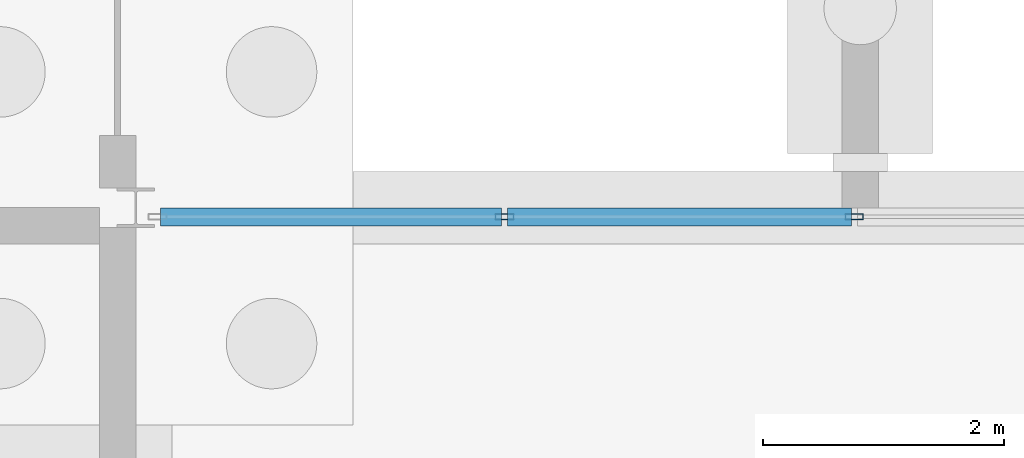
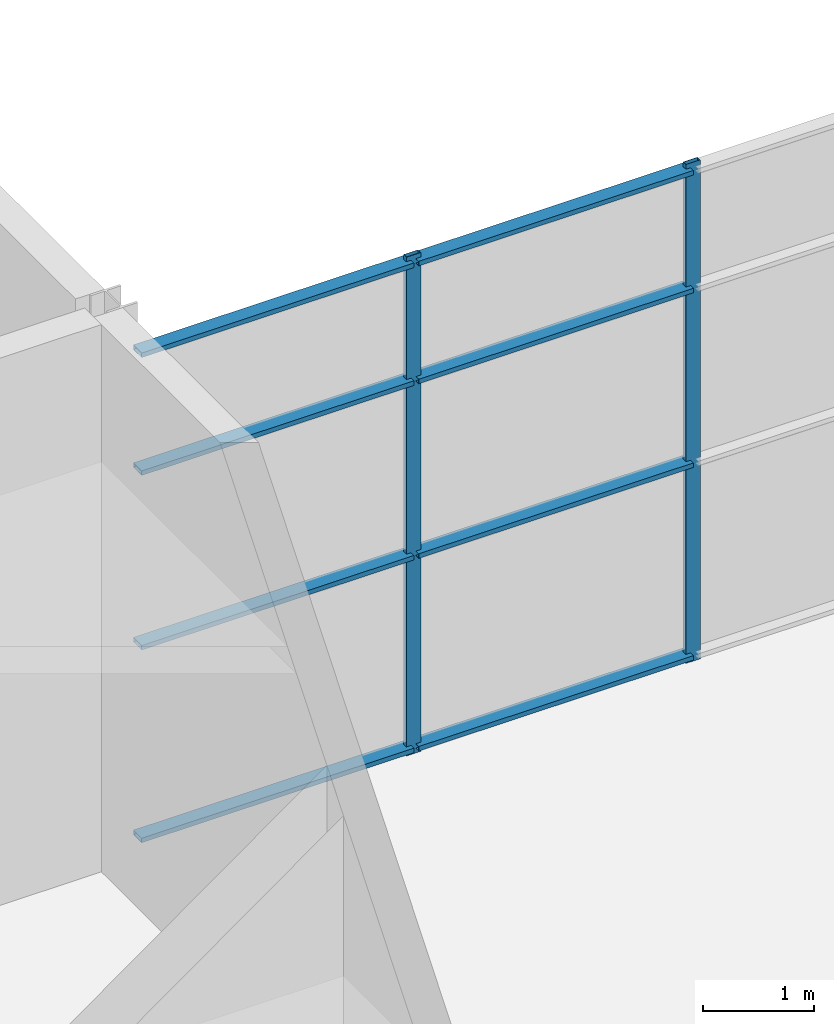
# One storey, part 69 of 139: 10 members, 1 element without a shape of its own.
"""IFC4 building model written with IfcOpenShell, lengths in metres."""

from ifc_helpers import new_model, si_unit, direction, frame, origin, origin_2d, place, context, subcontext, project, spatial, hollow_rectangle, extrude, material, layer, layer_set, material_profile, profile_set, type_object, element, aggregate, save


model = new_model("IFC4")

# Units and contexts
model_context = context("Model", 3, precision=1e-05, world=origin(), true_north=direction((0.0, 1.0)))
body_context = subcontext(model_context, "Body", "Model", "MODEL_VIEW")
ifc_project = project(units=[si_unit("LENGTHUNIT", "METRE"), si_unit("AREAUNIT", "SQUARE_METRE"), si_unit("VOLUMEUNIT", "CUBIC_METRE"), si_unit("PLANEANGLEUNIT", "RADIAN"), si_unit("MASSUNIT", "GRAM", prefix="KILO")], contexts=[model_context])

# Site, building, storey
site_placement = place(None, origin())
site = spatial("IfcSite", under=ifc_project, at=site_placement, CompositionType="ELEMENT")
building_placement = place(site_placement, origin())
building = spatial("IfcBuilding", under=site, at=building_placement, Name="Shorebreak Coast Museum", CompositionType="ELEMENT")
storey_placement = place(building_placement, origin())
storey = spatial("IfcBuildingStorey", under=building, at=storey_placement, Name="L00", CompositionType="ELEMENT", Elevation=0.0)

# Curtain wall, members
ifc_material_1 = material(Name="Aluminium", Category="aluminium")
ifc_layer = layer(ifc_material_1, 0.14990234375)
ifc_layer_set = layer_set([ifc_layer], Name="Aluminium")
curtain_wall_type = type_object("IfcCurtainWallType", Name="Storefront curtain wall", PredefinedType="NOTDEFINED", material=ifc_layer_set)
curtain_wall_placement = place(storey_placement, origin())
curtain_wall = element("IfcCurtainWall", 1, at=curtain_wall_placement, inside=storey, type_object=curtain_wall_type, Name="Storefront L00 N 2", PredefinedType="NOTDEFINED")
ifc_material_2 = material(Name="Aluminium", Category="aluminium")
ifc_material_profile_1 = material_profile(ifc_material_2, hollow_rectangle(XDim=0.050048828125, YDim=0.14990234375, WallThickness=0.00390625, at=origin_2d()), Name="AL 150x50 RHS")
ifc_profile_set_1 = profile_set([ifc_material_profile_1], Name="Aluminium")
member_type_1 = type_object("IfcMemberType", Name="Storefront mullion 50 x 150", PredefinedType="MULLION", material=ifc_profile_set_1)
member_1_placement = place(storey_placement, frame((120.0537109375, 89.925048828125, 0.0), z_axis=(0.0, 0.0, 1.0), x_axis=(0.0, 1.0, 0.0)))
member_1 = element("IfcMember", 2, at=member_1_placement, type_object=member_type_1, Name="CW8 mullion 2", PredefinedType="MULLION", context=body_context, shape_type="SweptSolid", body=[
    extrude(hollow_rectangle(XDim=0.050048828125, YDim=0.14990234375, WallThickness=0.00390625, at=origin_2d()), origin(), (0.0, 0.0, 1.0), 5.469482421875),
])
member_2_placement = place(storey_placement, frame((122.951904296875, 89.925048828125, 0.0), z_axis=(0.0, 0.0, 1.0), x_axis=(0.0, 1.0, 0.0)))
member_2 = element("IfcMember", 3, at=member_2_placement, type_object=member_type_1, Name="CW8 mullion 3", PredefinedType="MULLION", context=body_context, shape_type="SweptSolid", body=[
    extrude(hollow_rectangle(XDim=0.050048828125, YDim=0.14990234375, WallThickness=0.00390625, at=origin_2d()), origin(), (0.0, 0.0, 1.0), 5.469482421875),
])
ifc_material_3 = material(Name="Aluminium", Category="aluminium")
ifc_material_profile_2 = material_profile(ifc_material_3, hollow_rectangle(XDim=0.14990234375, YDim=0.050048828125, WallThickness=0.00390625, at=origin_2d()), Name="AL 50x150 RHS")
ifc_profile_set_2 = profile_set([ifc_material_profile_2], Name="Aluminium")
member_type_2 = type_object("IfcMemberType", Name="Storefront transom 150 x 50", PredefinedType="USERDEFINED", material=ifc_profile_set_2)
member_3_placement = place(storey_placement, frame((117.20556640625, 89.925048828125, 0.074951171875), z_axis=(1.0, 0.0, 0.0), x_axis=(0.0, 1.0, 0.0)))
member_3 = element("IfcMember", 4, at=member_3_placement, type_object=member_type_2, Name="CW8 transom 1.1", ObjectType="TRANSOM", PredefinedType="USERDEFINED", context=body_context, shape_type="SweptSolid", body=[
    extrude(hollow_rectangle(XDim=0.14990234375, YDim=0.050048828125, WallThickness=0.00390625, at=origin_2d()), origin(), (0.0, 0.0, 1.0), 2.822998046875),
])
member_4_placement = place(storey_placement, frame((117.20556640625, 89.925048828125, 2.187744140625), z_axis=(1.0, 0.0, 0.0), x_axis=(0.0, 1.0, 0.0)))
member_4 = element("IfcMember", 5, at=member_4_placement, type_object=member_type_2, Name="CW8 transom 1.2", ObjectType="TRANSOM", PredefinedType="USERDEFINED", context=body_context, shape_type="SweptSolid", body=[
    extrude(hollow_rectangle(XDim=0.14990234375, YDim=0.050048828125, WallThickness=0.00390625, at=origin_2d()), origin(), (0.0, 0.0, 1.0), 2.822998046875),
])
member_5_placement = place(storey_placement, frame((117.20556640625, 89.925048828125, 4.10205078125), z_axis=(1.0, 0.0, 0.0), x_axis=(0.0, 1.0, 0.0)))
member_5 = element("IfcMember", 6, at=member_5_placement, type_object=member_type_2, Name="CW8 transom 1.3", ObjectType="TRANSOM", PredefinedType="USERDEFINED", context=body_context, shape_type="SweptSolid", body=[
    extrude(hollow_rectangle(XDim=0.14990234375, YDim=0.050048828125, WallThickness=0.00390625, at=origin_2d()), origin(), (0.0, 0.0, 1.0), 2.822998046875),
])
member_6_placement = place(storey_placement, frame((117.20556640625, 89.925048828125, 5.394287109375), z_axis=(1.0, 0.0, 0.0), x_axis=(0.0, 1.0, 0.0)))
member_6 = element("IfcMember", 7, at=member_6_placement, type_object=member_type_2, Name="CW8 transom 1.4", ObjectType="TRANSOM", PredefinedType="USERDEFINED", context=body_context, shape_type="SweptSolid", body=[
    extrude(hollow_rectangle(XDim=0.14990234375, YDim=0.050048828125, WallThickness=0.00390625, at=origin_2d()), origin(), (0.0, 0.0, 1.0), 2.822998046875),
])
member_7_placement = place(storey_placement, frame((120.07861328125, 89.925048828125, 0.074951171875), z_axis=(1.0, 0.0, 0.0), x_axis=(0.0, 1.0, 0.0)))
member_7 = element("IfcMember", 8, at=member_7_placement, type_object=member_type_2, Name="CW8 transom 2.1", ObjectType="TRANSOM", PredefinedType="USERDEFINED", context=body_context, shape_type="SweptSolid", body=[
    extrude(hollow_rectangle(XDim=0.14990234375, YDim=0.050048828125, WallThickness=0.00390625, at=origin_2d()), origin(), (0.0, 0.0, 1.0), 2.84814453125),
])
member_8_placement = place(storey_placement, frame((120.07861328125, 89.925048828125, 2.187744140625), z_axis=(1.0, 0.0, 0.0), x_axis=(0.0, 1.0, 0.0)))
member_8 = element("IfcMember", 9, at=member_8_placement, type_object=member_type_2, Name="CW8 transom 2.2", ObjectType="TRANSOM", PredefinedType="USERDEFINED", context=body_context, shape_type="SweptSolid", body=[
    extrude(hollow_rectangle(XDim=0.14990234375, YDim=0.050048828125, WallThickness=0.00390625, at=origin_2d()), origin(), (0.0, 0.0, 1.0), 2.84814453125),
])
member_9_placement = place(storey_placement, frame((120.07861328125, 89.925048828125, 4.10205078125), z_axis=(1.0, 0.0, 0.0), x_axis=(0.0, 1.0, 0.0)))
member_9 = element("IfcMember", 10, at=member_9_placement, type_object=member_type_2, Name="CW8 transom 2.3", ObjectType="TRANSOM", PredefinedType="USERDEFINED", context=body_context, shape_type="SweptSolid", body=[
    extrude(hollow_rectangle(XDim=0.14990234375, YDim=0.050048828125, WallThickness=0.00390625, at=origin_2d()), origin(), (0.0, 0.0, 1.0), 2.84814453125),
])
member_10_placement = place(storey_placement, frame((120.07861328125, 89.925048828125, 5.394287109375), z_axis=(1.0, 0.0, 0.0), x_axis=(0.0, 1.0, 0.0)))
member_10 = element("IfcMember", 11, at=member_10_placement, type_object=member_type_2, Name="CW8 transom 2.4", ObjectType="TRANSOM", PredefinedType="USERDEFINED", context=body_context, shape_type="SweptSolid", body=[
    extrude(hollow_rectangle(XDim=0.14990234375, YDim=0.050048828125, WallThickness=0.00390625, at=origin_2d()), origin(), (0.0, 0.0, 1.0), 2.84814453125),
])
aggregate(curtain_wall, [member_1, member_2, member_3, member_4, member_5, member_6, member_7, member_8, member_9, member_10])

save(model, "model.ifc")
